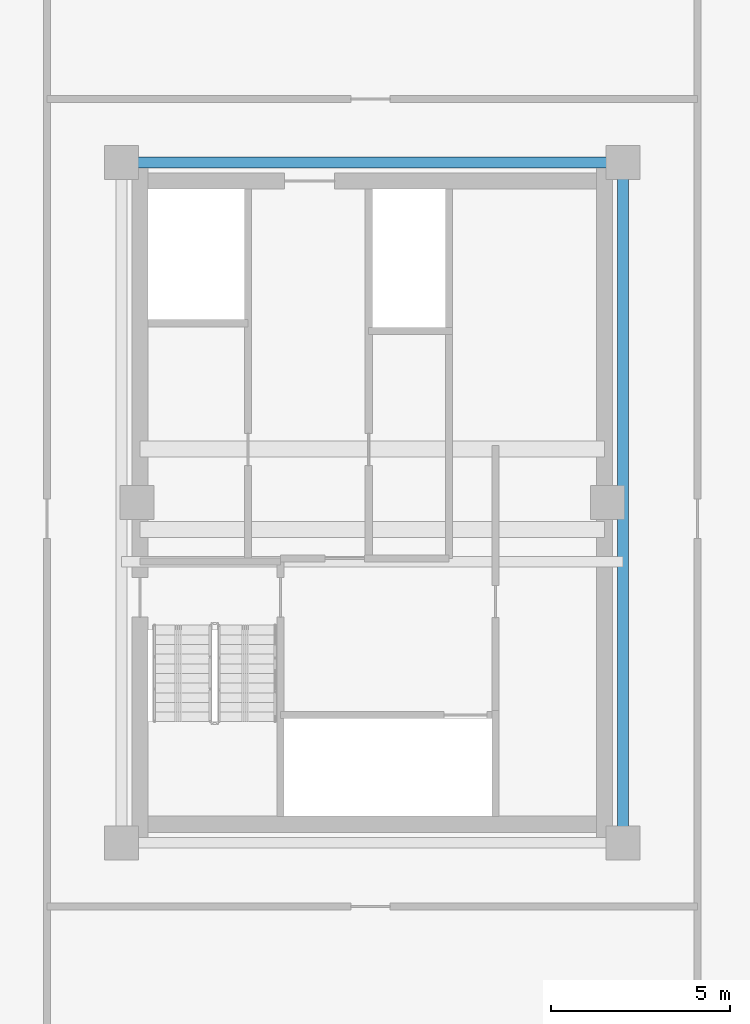
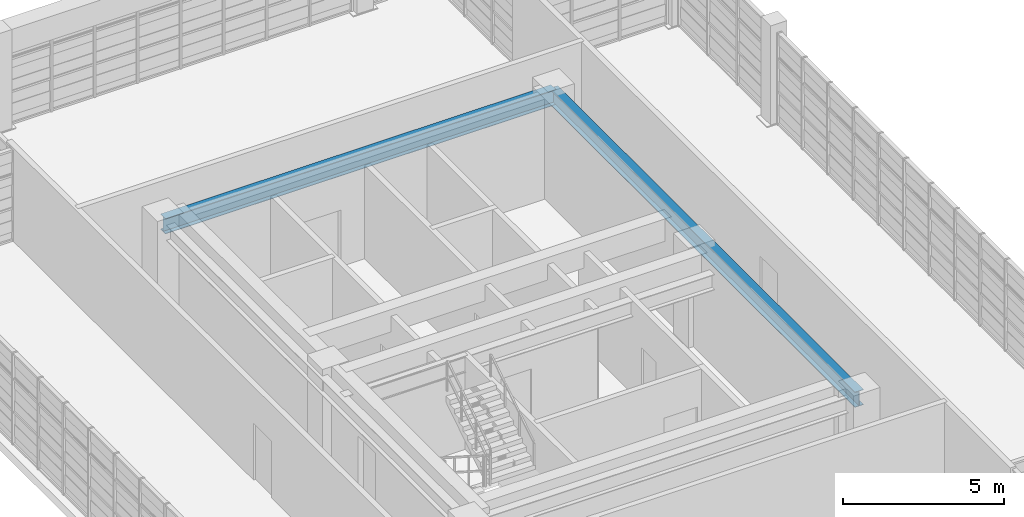
# One storey, part 11 of 24: 2 beams.
"""IFC4 building model written with IfcOpenShell, lengths in metres."""

from ifc_helpers import new_model, si_unit, direction, frame, origin, origin_2d, place, context, subcontext, project, spatial, i_section, extrude, source, transform, mapped, material, material_profile, profile_set, type_object, element, save


model = new_model("IFC4")

# Units and contexts
model_context = context("Model", 3, precision=1e-05, world=origin(), true_north=direction((0.0, 1.0)))
body_context = subcontext(model_context, "Body", "Model", "MODEL_VIEW")
ifc_project = project(units=[si_unit("LENGTHUNIT", "METRE"), si_unit("AREAUNIT", "SQUARE_METRE"), si_unit("VOLUMEUNIT", "CUBIC_METRE"), si_unit("PLANEANGLEUNIT", "RADIAN"), si_unit("MASSUNIT", "GRAM", prefix="KILO")], contexts=[model_context])

# Site, building, storey
site_placement = place(None, origin())
site = spatial("IfcSite", under=ifc_project, at=site_placement, CompositionType="ELEMENT")
building_placement = place(site_placement, origin())
building = spatial("IfcBuilding", under=site, at=building_placement, Name="Saelheon Loggia Tower", CompositionType="ELEMENT")
storey_placement = place(building_placement, frame((0.0, 0.0, 252.199951171875)))
storey = spatial("IfcBuildingStorey", under=building, at=storey_placement, Name="CR1", CompositionType="ELEMENT", Elevation=252.199951171875)

# Beams
ifc_material = material(Name="Steel SM355", Category="steel")
ifc_material_profile = material_profile(ifc_material, i_section(OverallWidth=0.300048828125, OverallDepth=0.587890625, WebThickness=0.011962890625, FlangeThickness=0.02001953125, at=origin_2d()), Name="H-588x300x12x20")
ifc_profile_set = profile_set([ifc_material_profile], Name="Steel SM355")
beam_type = type_object("IfcBeamType", Name="Beam_Girder_Steel_H588", PredefinedType="BEAM", material=ifc_profile_set)
shared_shape_1 = source(origin(), body_context, "Body", "SweptSolid", [
    extrude(i_section(OverallWidth=0.300048828125, OverallDepth=0.587890625, WebThickness=0.011962890625, FlangeThickness=0.02001953125, at=origin_2d()), origin(), (0.0, 0.0, 1.0), 14.0400390625),
])
beam_1_placement = place(storey_placement, frame((30.97998046875, 36.52001953125, 3.256103515625), z_axis=(1.0, 0.0, 0.0), x_axis=(0.0, 1.0, 0.0)))
element("IfcBeam", 1, at=beam_1_placement, inside=storey, type_object=beam_type, Name="BM-CR1-PL-N", PredefinedType="BEAM", context=body_context, shape_type="MappedRepresentation", body=[
    mapped(shared_shape_1, transform((0.0, 0.0, 0.0), scale=1.0)),
])
shared_shape_2 = source(origin(), body_context, "Body", "SweptSolid", [
    extrude(i_section(OverallWidth=0.300048828125, OverallDepth=0.587890625, WebThickness=0.011962890625, FlangeThickness=0.02001953125, at=origin_2d()), origin(), (0.0, 0.0, 1.0), 19.0400390625),
])
beam_2_placement = place(storey_placement, frame((45.02001953125, 17.47998046875, 3.256103515625), z_axis=(0.0, 1.0, 0.0), x_axis=(-1.0, 0.0, 0.0)))
element("IfcBeam", 2, at=beam_2_placement, inside=storey, type_object=beam_type, Name="BM-CR1-PL-E", PredefinedType="BEAM", context=body_context, shape_type="MappedRepresentation", body=[
    mapped(shared_shape_2, transform((0.0, 0.0, 0.0), scale=1.0)),
])

save(model, "model.ifc")
